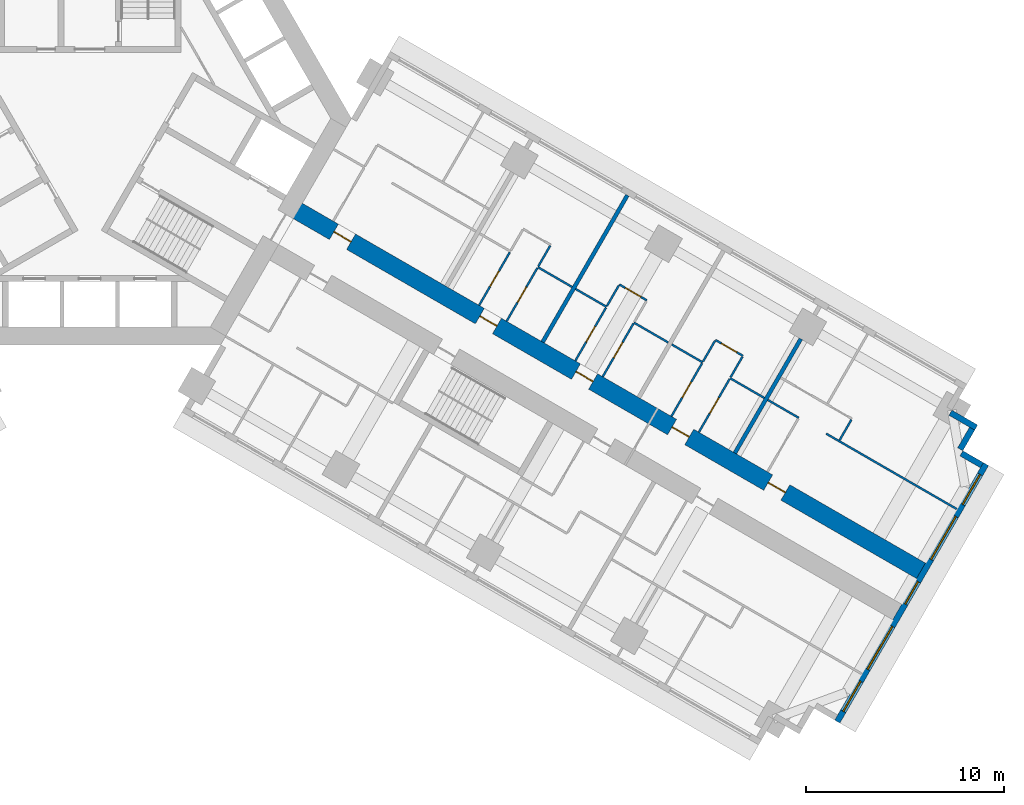
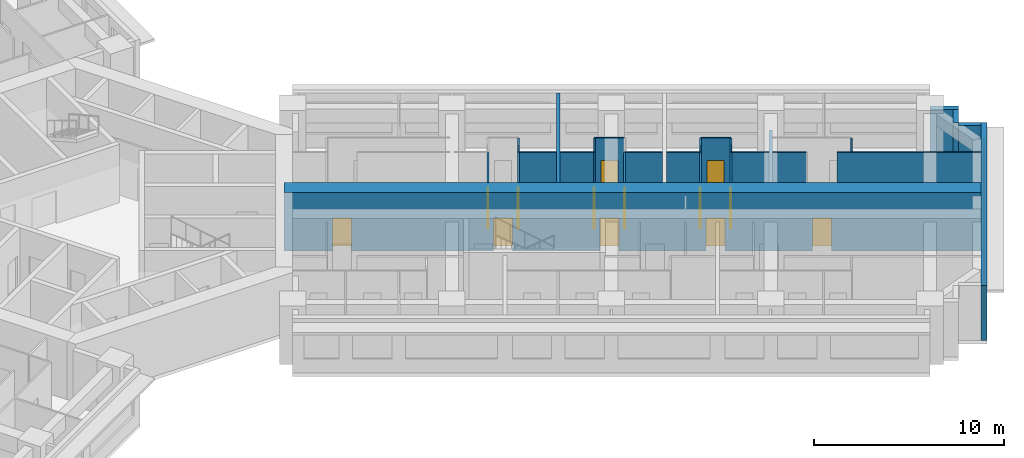
# One storey, part 12 of 16: 27 walls, 13 doors, 5 windows, 18 openings.
"""IFC4 building model written with IfcOpenShell, lengths in metres."""

import ifcopenshell
import ifcopenshell.guid

model = None  # the IFC model being written
_history = None  # IfcOwnerHistory: only IFC2X3 demands one
_inside = {}  # id of a spatial element -> (the spatial element, [elements in it])
_under = {}  # id of a project, library or spatial element -> (it, [spatial elements below it])
_declared = {}  # id of a project -> (the project, [libraries it declares])
_typed = {}  # id of a type object -> (the type object, [elements of that type])
_made_of = {}  # id of a material, layer set ... -> (it, [elements and type objects made of it])


def new_model(schema):
    """Start an empty IFC model of exactly this schema.

    Asked for "IFC4X3", IfcOpenShell would pick the latest addendum, in which some entities
    have other attributes; the version numbers below select the first issue.
    IFC2X3 requires an IfcOwnerHistory on every rooted entity: one is made here for all.
    """
    global model, _history
    if schema == "IFC4X3":
        model = ifcopenshell.file(schema_version=(4, 3, 0, 0))
    else:
        model = ifcopenshell.file(schema=schema)
    _inside.clear()
    _under.clear()
    _declared.clear()
    _typed.clear()
    _made_of.clear()
    _history = None
    if model.schema == "IFC2X3":
        org = make("IfcOrganization", Name="unknown")
        user = make(
            "IfcPersonAndOrganization",
            ThePerson=make("IfcPerson", FamilyName="unknown"),
            TheOrganization=org,
        )
        app = make(
            "IfcApplication",
            ApplicationDeveloper=org,
            Version="unknown",
            ApplicationFullName="unknown",
            ApplicationIdentifier="unknown",
        )
        _history = make(
            "IfcOwnerHistory",
            OwningUser=user,
            OwningApplication=app,
            ChangeAction="ADDED",
            CreationDate=0,
        )
    return model


def make(cls, **values):
    """One entity of the class cls with the attributes given. An attribute that is None is left unset."""
    return model.create_entity(
        cls, **{name: value for name, value in values.items() if value is not None}
    )


def rooted(cls, **values):
    """An entity with a GlobalId (a new one), such as an element, a storey or a relation."""
    return make(cls, GlobalId=ifcopenshell.guid.new(), OwnerHistory=_history, **values)


def si_unit(unit_type, name, prefix=None):
    """IfcSIUnit, for example si_unit("LENGTHUNIT", "METRE", prefix="MILLI")."""
    return make("IfcSIUnit", UnitType=unit_type, Prefix=prefix, Name=name)


def assignment(units):
    """IfcUnitAssignment: the units of a project."""
    return None if units is None else make("IfcUnitAssignment", Units=units)


def point(xyz):
    """IfcCartesianPoint."""
    return None if xyz is None else make("IfcCartesianPoint", Coordinates=xyz)


def direction(xyz):
    """IfcDirection."""
    return None if xyz is None else make("IfcDirection", DirectionRatios=xyz)


def frame(location, z_axis=None, x_axis=None):
    """IfcAxis2Placement3D, a coordinate frame: its origin and axes. An axis left out is left unset."""
    return make(
        "IfcAxis2Placement3D",
        Location=point(location),
        Axis=direction(z_axis),
        RefDirection=direction(x_axis),
    )


def frame_2d(location, x_axis=None):
    """IfcAxis2Placement2D, a coordinate frame in the plane: its origin and x axis."""
    return make(
        "IfcAxis2Placement2D", Location=point(location), RefDirection=direction(x_axis)
    )


def origin():
    """The frame at (0, 0, 0) with its axes left unset."""
    return frame((0.0, 0.0, 0.0))


def place(relative_to, where):
    """IfcLocalPlacement: puts the frame where relative to a parent placement (None: the world)."""
    return make(
        "IfcLocalPlacement", PlacementRelTo=relative_to, RelativePlacement=where
    )


def context(
    kind, dimensions, precision=None, world=None, true_north=None, identifier=None
):
    """IfcGeometricRepresentationContext, for example the 3D "Model" context."""
    return make(
        "IfcGeometricRepresentationContext",
        ContextIdentifier=identifier,
        ContextType=kind,
        CoordinateSpaceDimension=dimensions,
        Precision=precision,
        WorldCoordinateSystem=world,
        TrueNorth=true_north,
    )


def subcontext(parent, identifier, kind, view, scale=None):
    """IfcGeometricRepresentationSubContext, for example "Body" below "Model"."""
    return make(
        "IfcGeometricRepresentationSubContext",
        ContextIdentifier=identifier,
        ContextType=kind,
        ParentContext=parent,
        TargetScale=scale,
        TargetView=view,
    )


def project(units=None, contexts=None):
    """IfcProject with its units and contexts."""
    return rooted(
        "IfcProject",
        Name="project",
        RepresentationContexts=contexts,
        UnitsInContext=assignment(units),
    )


def spatial(cls, under=None, at=None, **own):
    """A site, building, storey or space (cls), placed at a placement, below another one or the project."""
    s = rooted(cls, ObjectPlacement=at, **own)
    if under is not None:
        _under.setdefault(under.id(), (under, []))[1].append(s)
    return s


def profile(cls, at=None, kind="AREA", **sizes):
    """A parametric profile (cls). Its sizes go by their IFC names, for example OverallWidth=200.0."""
    return make(cls, ProfileType=kind, Position=at, **sizes)


def rectangle(**sizes):
    """IfcRectangleProfileDef."""
    return profile("IfcRectangleProfileDef", **sizes)


def extrude(swept, where, along, depth):
    """IfcExtrudedAreaSolid: the profile swept, set in the frame where, extruded along a direction by depth."""
    return make(
        "IfcExtrudedAreaSolid",
        SweptArea=swept,
        Position=where,
        ExtrudedDirection=direction(along),
        Depth=depth,
    )


def shape(context_of_items, identifier, shape_type, items):
    """IfcShapeRepresentation: the items that make up one representation, for example the "Body"."""
    return make(
        "IfcShapeRepresentation",
        ContextOfItems=context_of_items,
        RepresentationIdentifier=identifier,
        RepresentationType=shape_type,
        Items=items,
    )


def material(Name=None, Category=None):
    """IfcMaterial."""
    return make("IfcMaterial", Name=Name, Category=Category)


def layer(
    of_material, thickness, ventilated=None, Name=None, Category=None, Priority=None
):
    """IfcMaterialLayer: one layer of a wall or slab, of a material (None: an air gap)."""
    return make(
        "IfcMaterialLayer",
        Material=of_material,
        LayerThickness=thickness,
        IsVentilated=ventilated,
        Name=Name,
        Category=Category,
        Priority=Priority,
    )


def layer_set(layers, Name=None):
    """IfcMaterialLayerSet."""
    return make("IfcMaterialLayerSet", MaterialLayers=layers, LayerSetName=Name)


def made_of(thing, what):
    """Note that an element or type object is made of a material, layer set ...; save() writes the relation."""
    if what is not None:
        _made_of.setdefault(what.id(), (what, []))[1].append(thing)
    return thing


def type_object(cls, material=None, **own):
    """A type object (cls), such as IfcWallType, which elements share."""
    return made_of(rooted(cls, **own), material)


def element(
    cls,
    number,
    at=None,
    inside=None,
    cuts=None,
    type_object=None,
    material=None,
    context=None,
    identifier="Body",
    shape_type=None,
    held_by="IfcProductDefinitionShape",
    body=None,
    shapes=None,
    **own,
):
    """One element of the class cls, such as IfcWall. Its Tag is "e" and its number.

    at: its placement. inside: the storey or other place that contains it. cuts: it is an
    opening in that element (IfcRelVoidsElement). A single representation is given by context,
    identifier, shape_type and body (its items); several are given by shapes. held_by: the class
    of the entity that holds the representations. save() writes the other relations.
    """
    e = rooted(cls, Tag="e%d" % number, ObjectPlacement=at, **own)
    if body is not None:
        shapes = [shape(context, identifier, shape_type, body)]
    if shapes is not None:
        e.Representation = make(held_by, Representations=shapes)
    if inside is not None:
        _inside.setdefault(inside.id(), (inside, []))[1].append(e)
    if cuts is not None:
        rooted(
            "IfcRelVoidsElement", RelatingBuildingElement=cuts, RelatedOpeningElement=e
        )
    if type_object is not None:
        _typed.setdefault(type_object.id(), (type_object, []))[1].append(e)
    return made_of(e, material)


def fill(opening, filler):
    """IfcRelFillsElement: the door or window that sits in an opening."""
    return rooted(
        "IfcRelFillsElement",
        RelatingOpeningElement=opening,
        RelatedBuildingElement=filler,
    )


def aggregate(whole, parts):
    """IfcRelAggregates: a whole, such as a stair, and the parts it consists of."""
    return rooted("IfcRelAggregates", RelatingObject=whole, RelatedObjects=parts)


def save(model, path):
    """Write the relations noted so far, then the file.

    IfcRelAggregates (storeys below a building ...), IfcRelContainedInSpatialStructure (elements
    in a storey), IfcRelDefinesByType, IfcRelAssociatesMaterial and IfcRelDeclares: one each for
    every whole, place, type object, material and project.
    """
    for whole, parts in _under.values():
        aggregate(whole, parts)
    for where, things in _inside.values():
        rooted(
            "IfcRelContainedInSpatialStructure",
            RelatedElements=things,
            RelatingStructure=where,
        )
    for kind, things in _typed.values():
        rooted("IfcRelDefinesByType", RelatedObjects=things, RelatingType=kind)
    for what, things in _made_of.values():
        rooted("IfcRelAssociatesMaterial", RelatedObjects=things, RelatingMaterial=what)
    for by, libraries in _declared.values():
        rooted("IfcRelDeclares", RelatingContext=by, RelatedDefinitions=libraries)
    model.write(path)


model = new_model("IFC4")

# Units and contexts
model_context = context("Model", 3, precision=1e-05, world=origin(), true_north=direction((0.0, 1.0)))
body_context = subcontext(model_context, "Body", "Model", "MODEL_VIEW")
ifc_project = project(units=[si_unit("LENGTHUNIT", "METRE"), si_unit("AREAUNIT", "SQUARE_METRE"), si_unit("VOLUMEUNIT", "CUBIC_METRE"), si_unit("PLANEANGLEUNIT", "RADIAN"), si_unit("MASSUNIT", "GRAM", prefix="KILO")], contexts=[model_context])

# Site, building, storey
site_placement = place(None, origin())
site = spatial("IfcSite", under=ifc_project, at=site_placement, CompositionType="ELEMENT")
building_placement = place(site_placement, origin())
building = spatial("IfcBuilding", under=site, at=building_placement, Name="Impinga Residences", CompositionType="ELEMENT")
storey_placement = place(building_placement, frame((0.0, 0.0, 59.75)))
storey = spatial("IfcBuildingStorey", under=building, at=storey_placement, Name="L14", CompositionType="ELEMENT", Elevation=59.75)

# Wall, openings, doors
ifc_material_1 = material(Name="Concrete C70/85", Category="concrete")
ifc_layer_1 = layer(ifc_material_1, 0.89990234375)
ifc_layer_set_1 = layer_set([ifc_layer_1], Name="Concrete C70/85")
wall_type_1 = type_object("IfcWallType", Name="BW1 corridor buttress wall, L05 to L22 900", PredefinedType="SHEAR", material=ifc_layer_set_1)
wall_1_placement = place(storey_placement, frame((10.1103515625, -4.451416015625, 0.0), z_axis=(0.0, 0.0, 1.0), x_axis=(0.866025284237, -0.500000207062, 0.0)))
wall_1 = element("IfcWall", 1, at=wall_1_placement, inside=storey, type_object=wall_type_1, Name="Corridor wall BW1 EC L14", PredefinedType="SHEAR", context=body_context, shape_type="SweptSolid", body=[
    extrude(rectangle(XDim=36.75, YDim=0.89990234375, at=frame_2d((18.375, 0.0))), origin(), (0.0, 0.0, 1.0), 3.75),
])
opening_1_placement = place(wall_1_placement, frame((2.550048828125, 0.0, 0.0)))
opening_1 = element("IfcOpeningElement", 2, at=opening_1_placement, cuts=wall_1, Name="Opening D1", PredefinedType="OPENING", context=body_context, shape_type="SweptSolid", body=[
    extrude(rectangle(XDim=1.0, YDim=2.10009765625, at=frame_2d((0.5, 1.050048828125))), frame((0.0, 0.4599609375, 0.0), z_axis=(0.0, -1.0, 0.0), x_axis=(1.0, 0.0, 0.0)), (0.0, 0.0, 1.0), 0.919921875),
])
opening_2_placement = place(wall_1_placement, frame((11.050048828125, 0.0, 0.0)))
opening_2 = element("IfcOpeningElement", 3, at=opening_2_placement, cuts=wall_1, Name="Opening D1", PredefinedType="OPENING", context=body_context, shape_type="SweptSolid", body=[
    extrude(rectangle(XDim=1.0, YDim=2.10009765625, at=frame_2d((0.5, 1.050048828125))), frame((0.0, 0.4599609375, 0.0), z_axis=(0.0, -1.0, 0.0), x_axis=(1.0, 0.0, 0.0)), (0.0, 0.0, 1.0), 0.919921875),
])
opening_3_placement = place(wall_1_placement, frame((16.64990234375, 0.0, 0.0)))
opening_3 = element("IfcOpeningElement", 4, at=opening_3_placement, cuts=wall_1, Name="Opening D1", PredefinedType="OPENING", context=body_context, shape_type="SweptSolid", body=[
    extrude(rectangle(XDim=1.0, YDim=2.10009765625, at=frame_2d((0.5, 1.050048828125))), frame((0.0, 0.4599609375, 0.0), z_axis=(0.0, -1.0, 0.0), x_axis=(1.0, 0.0, 0.0)), (0.0, 0.0, 1.0), 0.919921875),
])
opening_4_placement = place(wall_1_placement, frame((22.25, 0.0, 0.0)))
opening_4 = element("IfcOpeningElement", 5, at=opening_4_placement, cuts=wall_1, Name="Opening D1", PredefinedType="OPENING", context=body_context, shape_type="SweptSolid", body=[
    extrude(rectangle(XDim=1.0, YDim=2.10009765625, at=frame_2d((0.5, 1.050048828125))), frame((0.0, 0.4599609375, 0.0), z_axis=(0.0, -1.0, 0.0), x_axis=(1.0, 0.0, 0.0)), (0.0, 0.0, 1.0), 0.919921875),
])
opening_5_placement = place(wall_1_placement, frame((27.85009765625, 0.0, 0.0)))
opening_5 = element("IfcOpeningElement", 6, at=opening_5_placement, cuts=wall_1, Name="Opening D1", PredefinedType="OPENING", context=body_context, shape_type="SweptSolid", body=[
    extrude(rectangle(XDim=1.0, YDim=2.10009765625, at=frame_2d((0.5, 1.050048828125))), frame((0.0, 0.4599609375, 0.0), z_axis=(0.0, -1.0, 0.0), x_axis=(1.0, 0.0, 0.0)), (0.0, 0.0, 1.0), 0.919921875),
])
ifc_material_2 = material(Name="Timber door set", Category="wood")
door_type_1 = type_object("IfcDoorType", Name="D1 apartment entrance door 1000x2100", OperationType="SINGLE_SWING_LEFT", PredefinedType="DOOR", material=ifc_material_2)
door_1_placement = place(opening_1_placement, origin())
door_1 = element("IfcDoor", 7, at=door_1_placement, inside=storey, type_object=door_type_1, Name="Apartment L14-EA1 entrance", OperationType="SINGLE_SWING_LEFT", OverallHeight=2.10009765625, OverallWidth=1.0, PredefinedType="DOOR", context=body_context, shape_type="SweptSolid", body=[
    extrude(rectangle(XDim=1.0, YDim=2.10009765625, at=frame_2d((0.5, 1.050048828125))), frame((0.0, 0.02490234375, 0.0), z_axis=(0.0, -1.0, 0.0), x_axis=(1.0, 0.0, 0.0)), (0.0, 0.0, 1.0), 0.050048828125),
])
fill(opening_1, door_1)
door_2_placement = place(opening_2_placement, origin())
door_2 = element("IfcDoor", 8, at=door_2_placement, inside=storey, type_object=door_type_1, Name="Apartment L14-EA2 entrance", OperationType="SINGLE_SWING_LEFT", OverallHeight=2.10009765625, OverallWidth=1.0, PredefinedType="DOOR", context=body_context, shape_type="SweptSolid", body=[
    extrude(rectangle(XDim=1.0, YDim=2.10009765625, at=frame_2d((0.5, 1.050048828125))), frame((0.0, 0.02490234375, 0.0), z_axis=(0.0, -1.0, 0.0), x_axis=(1.0, 0.0, 0.0)), (0.0, 0.0, 1.0), 0.050048828125),
])
fill(opening_2, door_2)
door_3_placement = place(opening_3_placement, origin())
door_3 = element("IfcDoor", 9, at=door_3_placement, inside=storey, type_object=door_type_1, Name="Apartment L14-EA3 entrance", OperationType="SINGLE_SWING_LEFT", OverallHeight=2.10009765625, OverallWidth=1.0, PredefinedType="DOOR", context=body_context, shape_type="SweptSolid", body=[
    extrude(rectangle(XDim=1.0, YDim=2.10009765625, at=frame_2d((0.5, 1.050048828125))), frame((0.0, 0.02490234375, 0.0), z_axis=(0.0, -1.0, 0.0), x_axis=(1.0, 0.0, 0.0)), (0.0, 0.0, 1.0), 0.050048828125),
])
fill(opening_3, door_3)
door_4_placement = place(opening_4_placement, origin())
door_4 = element("IfcDoor", 10, at=door_4_placement, inside=storey, type_object=door_type_1, Name="Apartment L14-EA4 entrance", OperationType="SINGLE_SWING_RIGHT", OverallHeight=2.10009765625, OverallWidth=1.0, PredefinedType="DOOR", context=body_context, shape_type="SweptSolid", body=[
    extrude(rectangle(XDim=1.0, YDim=2.10009765625, at=frame_2d((0.5, 1.050048828125))), frame((0.0, 0.02490234375, 0.0), z_axis=(0.0, -1.0, 0.0), x_axis=(1.0, 0.0, 0.0)), (0.0, 0.0, 1.0), 0.050048828125),
])
fill(opening_4, door_4)
door_5_placement = place(opening_5_placement, origin())
door_5 = element("IfcDoor", 11, at=door_5_placement, inside=storey, type_object=door_type_1, Name="Apartment L14-EA5 entrance", OperationType="SINGLE_SWING_RIGHT", OverallHeight=2.10009765625, OverallWidth=1.0, PredefinedType="DOOR", context=body_context, shape_type="SweptSolid", body=[
    extrude(rectangle(XDim=1.0, YDim=2.10009765625, at=frame_2d((0.5, 1.050048828125))), frame((0.0, 0.02490234375, 0.0), z_axis=(0.0, -1.0, 0.0), x_axis=(1.0, 0.0, 0.0)), (0.0, 0.0, 1.0), 0.050048828125),
])
fill(opening_5, door_5)

# Walls
ifc_material_3 = material(Name="Terracotta rainscreen on blockwork", Category="masonry")
ifc_layer_2 = layer(ifc_material_3, 0.300048828125)
ifc_layer_set_2 = layer_set([ifc_layer_2], Name="EW1 external wall, terracotta rainscreen on blockwork 300")
wall_type_2 = type_object("IfcWallType", Name="EW1 external wall, terracotta rainscreen on blockwork 300", PredefinedType="SOLIDWALL", material=ifc_layer_set_2)
wall_2_placement = place(storey_placement, frame((43.42333984375, -14.8515625, 0.0), z_axis=(0.0, 0.0, 1.0), x_axis=(0.866031096941, -0.499990139034, 0.0)))
element("IfcWall", 12, at=wall_2_placement, inside=storey, type_object=wall_type_2, Name="External wall EW1 L14", PredefinedType="SOLIDWALL", context=body_context, shape_type="SweptSolid", body=[
    extrude(rectangle(XDim=1.5, YDim=0.300048828125, at=frame_2d((0.75, 0.0))), origin(), (0.0, 0.0, 1.0), 3.530029296875),
])
wall_3_placement = place(storey_placement, frame((44.517578125, -15.65625, 0.0), z_axis=(0.0, 0.0, 1.0), x_axis=(-0.500033551112, -0.866006032174, 0.0)))
element("IfcWall", 13, at=wall_3_placement, inside=storey, type_object=wall_type_2, Name="External wall EW1 L14", PredefinedType="SOLIDWALL", context=body_context, shape_type="SweptSolid", body=[
    extrude(rectangle(XDim=1.2001953125, YDim=0.300048828125, at=frame_2d((0.60009765625, 0.0))), origin(), (0.0, 0.0, 1.0), 3.530029296875),
])
wall_4_placement = place(storey_placement, frame((43.976806640625, -16.903076171875, 0.0), z_axis=(0.0, 0.0, 1.0), x_axis=(0.866059708757, -0.499940577336, 0.0)))
element("IfcWall", 14, at=wall_4_placement, inside=storey, type_object=wall_type_2, Name="External wall EW1 L14", PredefinedType="SOLIDWALL", context=body_context, shape_type="SweptSolid", body=[
    extrude(rectangle(XDim=1.195068359375, YDim=0.300048828125, at=frame_2d((0.59765625, 0.0))), origin(), (0.0, 0.0, 1.0), 3.530029296875),
])

# Wall, openings, windows
wall_5_placement = place(storey_placement, frame((45.216552734375, -17.445556640625, 0.0), z_axis=(0.0, 0.0, 1.0), x_axis=(-0.499997186618, -0.866027028085, 0.0)))
wall_5 = element("IfcWall", 15, at=wall_5_placement, inside=storey, type_object=wall_type_2, Name="External wall EW1 L14", PredefinedType="SOLIDWALL", context=body_context, shape_type="SweptSolid", body=[
    extrude(rectangle(XDim=15.0, YDim=0.300048828125, at=frame_2d((7.5, 0.0))), origin(), (0.0, 0.0, 1.0), 3.530029296875),
])
opening_6_placement = place(wall_5_placement, frame((0.60009765625, 0.0, 0.89990234375)))
opening_6 = element("IfcOpeningElement", 16, at=opening_6_placement, cuts=wall_5, Name="Opening W1", PredefinedType="OPENING", context=body_context, shape_type="SweptSolid", body=[
    extrude(rectangle(XDim=1.75, YDim=2.050048828125, at=frame_2d((0.875, 1.02490234375))), frame((0.0, 0.159912109375, 0.0), z_axis=(0.0, -1.0, 0.0), x_axis=(1.0, 0.0, 0.0)), (0.0, 0.0, 1.0), 0.320068359375),
])
opening_7_placement = place(wall_5_placement, frame((3.050048828125, 0.0, 0.89990234375)))
opening_7 = element("IfcOpeningElement", 17, at=opening_7_placement, cuts=wall_5, Name="Opening W2", PredefinedType="OPENING", context=body_context, shape_type="SweptSolid", body=[
    extrude(rectangle(XDim=2.5, YDim=2.050048828125, at=frame_2d((1.25, 1.02490234375))), frame((0.0, 0.159912109375, 0.0), z_axis=(0.0, -1.0, 0.0), x_axis=(1.0, 0.0, 0.0)), (0.0, 0.0, 1.0), 0.320068359375),
])
opening_8_placement = place(wall_5_placement, frame((6.85009765625, 0.0, 0.89990234375)))
opening_8 = element("IfcOpeningElement", 18, at=opening_8_placement, cuts=wall_5, Name="Opening WE1", PredefinedType="OPENING", context=body_context, shape_type="SweptSolid", body=[
    extrude(rectangle(XDim=1.300048828125, YDim=2.050048828125, at=frame_2d((0.64990234375, 1.02490234375))), frame((0.0, 0.159912109375, 0.0), z_axis=(0.0, -1.0, 0.0), x_axis=(1.0, 0.0, 0.0)), (0.0, 0.0, 1.0), 0.320068359375),
])
opening_9_placement = place(wall_5_placement, frame((9.449951171875, 0.0, 0.89990234375)))
opening_9 = element("IfcOpeningElement", 19, at=opening_9_placement, cuts=wall_5, Name="Opening W2", PredefinedType="OPENING", context=body_context, shape_type="SweptSolid", body=[
    extrude(rectangle(XDim=2.5, YDim=2.050048828125, at=frame_2d((1.25, 1.02490234375))), frame((0.0, 0.159912109375, 0.0), z_axis=(0.0, -1.0, 0.0), x_axis=(1.0, 0.0, 0.0)), (0.0, 0.0, 1.0), 0.320068359375),
])
opening_10_placement = place(wall_5_placement, frame((12.64990234375, 0.0, 0.89990234375)))
opening_10 = element("IfcOpeningElement", 20, at=opening_10_placement, cuts=wall_5, Name="Opening W1", PredefinedType="OPENING", context=body_context, shape_type="SweptSolid", body=[
    extrude(rectangle(XDim=1.75, YDim=2.050048828125, at=frame_2d((0.875, 1.02490234375))), frame((0.0, 0.159912109375, 0.0), z_axis=(0.0, -1.0, 0.0), x_axis=(1.0, 0.0, 0.0)), (0.0, 0.0, 1.0), 0.320068359375),
])
ifc_material_4 = material(Name="Aluminium window, clear double glazing", Category="aluminium")
window_type_1 = type_object("IfcWindowType", Name="W1 ribbon window 1750x2050", PartitioningType="SINGLE_PANEL", PredefinedType="WINDOW", material=ifc_material_4)
window_1_placement = place(opening_6_placement, origin())
window_1 = element("IfcWindow", 21, at=window_1_placement, inside=storey, type_object=window_type_1, Name="Window L14", OverallHeight=2.050048828125, OverallWidth=1.75, PartitioningType="SINGLE_PANEL", PredefinedType="WINDOW", context=body_context, shape_type="SweptSolid", body=[
    extrude(rectangle(XDim=1.75, YDim=2.050048828125, at=frame_2d((0.875, 1.02490234375))), frame((0.0, 0.030029296875, 0.0), z_axis=(0.0, -1.0, 0.0), x_axis=(1.0, 0.0, 0.0)), (0.0, 0.0, 1.0), 0.06005859375),
])
fill(opening_6, window_1)
window_2_placement = place(opening_10_placement, origin())
window_2 = element("IfcWindow", 22, at=window_2_placement, inside=storey, type_object=window_type_1, Name="Window L14", OverallHeight=2.050048828125, OverallWidth=1.75, PartitioningType="SINGLE_PANEL", PredefinedType="WINDOW", context=body_context, shape_type="SweptSolid", body=[
    extrude(rectangle(XDim=1.75, YDim=2.050048828125, at=frame_2d((0.875, 1.02490234375))), frame((0.0, 0.030029296875, 0.0), z_axis=(0.0, -1.0, 0.0), x_axis=(1.0, 0.0, 0.0)), (0.0, 0.0, 1.0), 0.06005859375),
])
fill(opening_10, window_2)
window_type_2 = type_object("IfcWindowType", Name="W2 ribbon window 2500x2050", PartitioningType="SINGLE_PANEL", PredefinedType="WINDOW", material=ifc_material_4)
window_3_placement = place(opening_7_placement, origin())
window_3 = element("IfcWindow", 23, at=window_3_placement, inside=storey, type_object=window_type_2, Name="Window L14", OverallHeight=2.050048828125, OverallWidth=2.5, PartitioningType="SINGLE_PANEL", PredefinedType="WINDOW", context=body_context, shape_type="SweptSolid", body=[
    extrude(rectangle(XDim=2.5, YDim=2.050048828125, at=frame_2d((1.25, 1.02490234375))), frame((0.0, 0.030029296875, 0.0), z_axis=(0.0, -1.0, 0.0), x_axis=(1.0, 0.0, 0.0)), (0.0, 0.0, 1.0), 0.06005859375),
])
fill(opening_7, window_3)
window_4_placement = place(opening_9_placement, origin())
window_4 = element("IfcWindow", 24, at=window_4_placement, inside=storey, type_object=window_type_2, Name="Window L14", OverallHeight=2.050048828125, OverallWidth=2.5, PartitioningType="SINGLE_PANEL", PredefinedType="WINDOW", context=body_context, shape_type="SweptSolid", body=[
    extrude(rectangle(XDim=2.5, YDim=2.050048828125, at=frame_2d((1.25, 1.02490234375))), frame((0.0, 0.030029296875, 0.0), z_axis=(0.0, -1.0, 0.0), x_axis=(1.0, 0.0, 0.0)), (0.0, 0.0, 1.0), 0.06005859375),
])
fill(opening_9, window_4)
window_type_3 = type_object("IfcWindowType", Name="WE1 corridor window 1300x2050", PartitioningType="SINGLE_PANEL", PredefinedType="WINDOW", material=ifc_material_4)
window_5_placement = place(opening_8_placement, origin())
window_5 = element("IfcWindow", 25, at=window_5_placement, inside=storey, type_object=window_type_3, Name="Window L14", OverallHeight=2.050048828125, OverallWidth=1.300048828125, PartitioningType="SINGLE_PANEL", PredefinedType="WINDOW", context=body_context, shape_type="SweptSolid", body=[
    extrude(rectangle(XDim=1.300048828125, YDim=2.050048828125, at=frame_2d((0.64990234375, 1.02490234375))), frame((0.0, 0.030029296875, 0.0), z_axis=(0.0, -1.0, 0.0), x_axis=(1.0, 0.0, 0.0)), (0.0, 0.0, 1.0), 0.06005859375),
])
fill(opening_8, window_5)

# Walls
ifc_material_5 = material(Name="Gypsum board on steel studs", Category="steel")
ifc_layer_3 = layer(ifc_material_5, 0.10009765625)
ifc_layer_set_3 = layer_set([ifc_layer_3], Name="Gypsum board on steel studs")
wall_type_3 = type_object("IfcWallType", Name="IP1 partition 100", PredefinedType="PARTITIONING", material=ifc_layer_set_3)
wall_6_placement = place(storey_placement, frame((22.605712890625, -7.5087890625, 0.0), z_axis=(0.0, 0.0, 1.0), x_axis=(0.866010750942, -0.50002537861, 0.0)))
element("IfcWall", 26, at=wall_6_placement, inside=storey, type_object=wall_type_3, Name="Partition L14-EA2:DIV1", PredefinedType="PARTITIONING", context=body_context, shape_type="SweptSolid", body=[
    extrude(rectangle(XDim=2.0, YDim=0.10009765625, at=frame_2d((1.0, 0.0))), origin(), (0.0, 0.0, 1.0), 3.530029296875),
])
wall_7_placement = place(storey_placement, frame((22.630615234375, -7.465576171875, 0.0), z_axis=(0.0, 0.0, 1.0), x_axis=(0.500033551112, 0.866006032174, 0.0)))
element("IfcWall", 27, at=wall_7_placement, inside=storey, type_object=wall_type_3, Name="Partition L14-EA2:SE1", PredefinedType="PARTITIONING", context=body_context, shape_type="SweptSolid", body=[
    extrude(rectangle(XDim=1.2001953125, YDim=0.10009765625, at=frame_2d((0.60009765625, 0.0))), origin(), (0.0, 0.0, 1.0), 3.530029296875),
])

# Wall, opening, door
wall_8_placement = place(storey_placement, frame((19.64501953125, -9.436767578125, 0.0), z_axis=(0.0, 0.0, 1.0), x_axis=(0.500026960575, 0.86600983753, 0.0)))
wall_8 = element("IfcWall", 28, at=wall_8_placement, inside=storey, type_object=wall_type_3, Name="Partition L14-EA2:IB1", PredefinedType="PARTITIONING", context=body_context, shape_type="SweptSolid", body=[
    extrude(rectangle(XDim=3.099853515625, YDim=0.10009765625, at=frame_2d((1.5498046875, 0.0))), origin(), (0.0, 0.0, 1.0), 3.530029296875),
])
opening_11_placement = place(wall_8_placement, frame((1.10009765625, 0.0, 0.0)))
opening_11 = element("IfcOpeningElement", 29, at=opening_11_placement, cuts=wall_8, Name="Opening D2", PredefinedType="OPENING", context=body_context, shape_type="SweptSolid", body=[
    extrude(rectangle(XDim=0.89990234375, YDim=2.10009765625, at=frame_2d((0.449951171875, 1.050048828125))), frame((0.0, 0.06005859375, 0.0), z_axis=(0.0, -1.0, 0.0), x_axis=(1.0, 0.0, 0.0)), (0.0, 0.0, 1.0), 0.1201171875),
])
door_type_2 = type_object("IfcDoorType", Name="D2 internal door 900x2100", OperationType="SINGLE_SWING_LEFT", PredefinedType="DOOR", material=ifc_material_2)
door_6_placement = place(opening_11_placement, origin())
door_6 = element("IfcDoor", 30, at=door_6_placement, inside=storey, type_object=door_type_2, Name="Apartment L14-EA2 bathroom door", OperationType="SINGLE_SWING_LEFT", OverallHeight=2.10009765625, OverallWidth=0.89990234375, PredefinedType="DOOR", context=body_context, shape_type="SweptSolid", body=[
    extrude(rectangle(XDim=0.89990234375, YDim=2.10009765625, at=frame_2d((0.449951171875, 1.050048828125))), frame((0.0, 0.02490234375, 0.0), z_axis=(0.0, -1.0, 0.0), x_axis=(1.0, 0.0, 0.0)), (0.0, 0.0, 1.0), 0.050048828125),
])
fill(opening_11, door_6)

wall_9_placement = place(storey_placement, frame((21.03076171875, -10.23681640625, 0.0), z_axis=(0.0, 0.0, 1.0), x_axis=(0.500026960575, 0.86600983753, 0.0)))
wall_9 = element("IfcWall", 31, at=wall_9_placement, inside=storey, type_object=wall_type_3, Name="Partition L14-EA2:IB2", PredefinedType="PARTITIONING", context=body_context, shape_type="SweptSolid", body=[
    extrude(rectangle(XDim=3.099853515625, YDim=0.10009765625, at=frame_2d((1.5498046875, 0.0))), origin(), (0.0, 0.0, 1.0), 3.530029296875),
])
opening_12_placement = place(wall_9_placement, frame((1.10009765625, 0.0, 0.0)))
opening_12 = element("IfcOpeningElement", 32, at=opening_12_placement, cuts=wall_9, Name="Opening D2", PredefinedType="OPENING", context=body_context, shape_type="SweptSolid", body=[
    extrude(rectangle(XDim=0.89990234375, YDim=2.10009765625, at=frame_2d((0.449951171875, 1.050048828125))), frame((0.0, 0.06005859375, 0.0), z_axis=(0.0, -1.0, 0.0), x_axis=(1.0, 0.0, 0.0)), (0.0, 0.0, 1.0), 0.1201171875),
])
door_7_placement = place(opening_12_placement, origin())
door_7 = element("IfcDoor", 33, at=door_7_placement, inside=storey, type_object=door_type_2, Name="Apartment L14-EA2 WC door", OperationType="SINGLE_SWING_LEFT", OverallHeight=2.10009765625, OverallWidth=0.89990234375, PredefinedType="DOOR", context=body_context, shape_type="SweptSolid", body=[
    extrude(rectangle(XDim=0.89990234375, YDim=2.10009765625, at=frame_2d((0.449951171875, 1.050048828125))), frame((0.0, 0.02490234375, 0.0), z_axis=(0.0, -1.0, 0.0), x_axis=(1.0, 0.0, 0.0)), (0.0, 0.0, 1.0), 0.050048828125),
])
fill(opening_12, door_7)

# Walls
wall_10_placement = place(storey_placement, frame((24.510986328125, -8.60888671875, 0.0), z_axis=(0.0, 0.0, 1.0), x_axis=(0.866047807691, -0.499961193289, 0.0)))
element("IfcWall", 34, at=wall_10_placement, inside=storey, type_object=wall_type_3, Name="Partition L14-EA3:DIV0", PredefinedType="PARTITIONING", context=body_context, shape_type="SweptSolid", body=[
    extrude(rectangle(XDim=1.800048828125, YDim=0.10009765625, at=frame_2d((0.89990234375, 0.0))), origin(), (0.0, 0.0, 1.0), 3.530029296875),
])
wall_11_placement = place(storey_placement, frame((27.45556640625, -10.308837890625, 0.0), z_axis=(0.0, 0.0, 1.0), x_axis=(0.866010750942, -0.50002537861, 0.0)))
element("IfcWall", 35, at=wall_11_placement, inside=storey, type_object=wall_type_3, Name="Partition L14-EA3:DIV1", PredefinedType="PARTITIONING", context=body_context, shape_type="SweptSolid", body=[
    extrude(rectangle(XDim=2.0, YDim=0.10009765625, at=frame_2d((1.0, 0.0))), origin(), (0.0, 0.0, 1.0), 3.530029296875),
])

# Wall, opening, door
wall_12_placement = place(storey_placement, frame((26.7197265625, -8.383056640625, 0.0), z_axis=(0.0, 0.0, 1.0), x_axis=(0.866028054938, -0.499995408039, 0.0)))
wall_12 = element("IfcWall", 36, at=wall_12_placement, inside=storey, type_object=wall_type_3, Name="Partition L14-EA3:STRIP", PredefinedType="PARTITIONING", context=body_context, shape_type="SweptSolid", body=[
    extrude(rectangle(XDim=1.60009765625, YDim=0.10009765625, at=frame_2d((0.800048828125, 0.0))), origin(), (0.0, 0.0, 1.0), 3.530029296875),
])
opening_13_placement = place(wall_12_placement, frame((0.35009765625, 0.0, 0.0)))
opening_13 = element("IfcOpeningElement", 37, at=opening_13_placement, cuts=wall_12, Name="Opening D2", PredefinedType="OPENING", context=body_context, shape_type="SweptSolid", body=[
    extrude(rectangle(XDim=0.89990234375, YDim=2.10009765625, at=frame_2d((0.449951171875, 1.050048828125))), frame((0.0, 0.06005859375, 0.0), z_axis=(0.0, -1.0, 0.0), x_axis=(1.0, 0.0, 0.0)), (0.0, 0.0, 1.0), 0.1201171875),
])
door_8_placement = place(opening_13_placement, origin())
door_8 = element("IfcDoor", 38, at=door_8_placement, inside=storey, type_object=door_type_2, Name="Apartment L14-EA3 room door", OperationType="SINGLE_SWING_LEFT", OverallHeight=2.10009765625, OverallWidth=0.89990234375, PredefinedType="DOOR", context=body_context, shape_type="SweptSolid", body=[
    extrude(rectangle(XDim=0.89990234375, YDim=2.10009765625, at=frame_2d((0.449951171875, 1.050048828125))), frame((0.0, 0.02490234375, 0.0), z_axis=(0.0, -1.0, 0.0), x_axis=(1.0, 0.0, 0.0)), (0.0, 0.0, 1.0), 0.050048828125),
])
fill(opening_13, door_8)

# Wall
wall_13_placement = place(storey_placement, frame((26.0947265625, -9.465576171875, 0.0), z_axis=(0.0, 0.0, 1.0), x_axis=(0.500033551112, 0.866006032174, 0.0)))
element("IfcWall", 39, at=wall_13_placement, inside=storey, type_object=wall_type_3, Name="Partition L14-EA3:SE0", PredefinedType="PARTITIONING", context=body_context, shape_type="SweptSolid", body=[
    extrude(rectangle(XDim=1.2001953125, YDim=0.10009765625, at=frame_2d((0.60009765625, 0.0))), origin(), (0.0, 0.0, 1.0), 3.530029296875),
])

# Wall, opening, door
wall_14_placement = place(storey_placement, frame((24.494873046875, -12.23681640625, 0.0), z_axis=(0.0, 0.0, 1.0), x_axis=(0.500026960575, 0.86600983753, 0.0)))
wall_14 = element("IfcWall", 40, at=wall_14_placement, inside=storey, type_object=wall_type_3, Name="Partition L14-EA3:IB1", PredefinedType="PARTITIONING", context=body_context, shape_type="SweptSolid", body=[
    extrude(rectangle(XDim=3.099853515625, YDim=0.10009765625, at=frame_2d((1.5498046875, 0.0))), origin(), (0.0, 0.0, 1.0), 3.530029296875),
])
opening_14_placement = place(wall_14_placement, frame((1.10009765625, 0.0, 0.0)))
opening_14 = element("IfcOpeningElement", 41, at=opening_14_placement, cuts=wall_14, Name="Opening D2", PredefinedType="OPENING", context=body_context, shape_type="SweptSolid", body=[
    extrude(rectangle(XDim=0.89990234375, YDim=2.10009765625, at=frame_2d((0.449951171875, 1.050048828125))), frame((0.0, 0.06005859375, 0.0), z_axis=(0.0, -1.0, 0.0), x_axis=(1.0, 0.0, 0.0)), (0.0, 0.0, 1.0), 0.1201171875),
])
door_9_placement = place(opening_14_placement, origin())
door_9 = element("IfcDoor", 42, at=door_9_placement, inside=storey, type_object=door_type_2, Name="Apartment L14-EA3 bathroom door", OperationType="SINGLE_SWING_LEFT", OverallHeight=2.10009765625, OverallWidth=0.89990234375, PredefinedType="DOOR", context=body_context, shape_type="SweptSolid", body=[
    extrude(rectangle(XDim=0.89990234375, YDim=2.10009765625, at=frame_2d((0.449951171875, 1.050048828125))), frame((0.0, 0.02490234375, 0.0), z_axis=(0.0, -1.0, 0.0), x_axis=(1.0, 0.0, 0.0)), (0.0, 0.0, 1.0), 0.050048828125),
])
fill(opening_14, door_9)

wall_15_placement = place(storey_placement, frame((25.88037109375, -13.036865234375, 0.0), z_axis=(0.0, 0.0, 1.0), x_axis=(0.49999285859, 0.86602952684, 0.0)))
wall_15 = element("IfcWall", 43, at=wall_15_placement, inside=storey, type_object=wall_type_3, Name="Partition L14-EA3:IB2", PredefinedType="PARTITIONING", context=body_context, shape_type="SweptSolid", body=[
    extrude(rectangle(XDim=3.10009765625, YDim=0.10009765625, at=frame_2d((1.550048828125, 0.0))), origin(), (0.0, 0.0, 1.0), 3.530029296875),
])
opening_15_placement = place(wall_15_placement, frame((1.10009765625, 0.0, 0.0)))
opening_15 = element("IfcOpeningElement", 44, at=opening_15_placement, cuts=wall_15, Name="Opening D2", PredefinedType="OPENING", context=body_context, shape_type="SweptSolid", body=[
    extrude(rectangle(XDim=0.89990234375, YDim=2.10009765625, at=frame_2d((0.449951171875, 1.050048828125))), frame((0.0, 0.06005859375, 0.0), z_axis=(0.0, -1.0, 0.0), x_axis=(1.0, 0.0, 0.0)), (0.0, 0.0, 1.0), 0.1201171875),
])
door_10_placement = place(opening_15_placement, origin())
door_10 = element("IfcDoor", 45, at=door_10_placement, inside=storey, type_object=door_type_2, Name="Apartment L14-EA3 WC door", OperationType="SINGLE_SWING_LEFT", OverallHeight=2.10009765625, OverallWidth=0.89990234375, PredefinedType="DOOR", context=body_context, shape_type="SweptSolid", body=[
    extrude(rectangle(XDim=0.89990234375, YDim=2.10009765625, at=frame_2d((0.449951171875, 1.050048828125))), frame((0.0, 0.02490234375, 0.0), z_axis=(0.0, -1.0, 0.0), x_axis=(1.0, 0.0, 0.0)), (0.0, 0.0, 1.0), 0.050048828125),
])
fill(opening_15, door_10)

# Walls
wall_16_placement = place(storey_placement, frame((29.360595703125, -11.408935546875, 0.0), z_axis=(0.0, 0.0, 1.0), x_axis=(0.866047807691, -0.499961193289, 0.0)))
element("IfcWall", 46, at=wall_16_placement, inside=storey, type_object=wall_type_3, Name="Partition L14-EA4:DIV0", PredefinedType="PARTITIONING", context=body_context, shape_type="SweptSolid", body=[
    extrude(rectangle(XDim=1.800048828125, YDim=0.10009765625, at=frame_2d((0.89990234375, 0.0))), origin(), (0.0, 0.0, 1.0), 3.530029296875),
])
wall_17_placement = place(storey_placement, frame((32.30517578125, -13.10888671875, 0.0), z_axis=(0.0, 0.0, 1.0), x_axis=(0.866041268327, -0.499972520799, 0.0)))
element("IfcWall", 47, at=wall_17_placement, inside=storey, type_object=wall_type_3, Name="Partition L14-EA4:DIV1", PredefinedType="PARTITIONING", context=body_context, shape_type="SweptSolid", body=[
    extrude(rectangle(XDim=2.0, YDim=0.10009765625, at=frame_2d((1.0, 0.0))), origin(), (0.0, 0.0, 1.0), 3.530029296875),
])

# Wall, opening, door
wall_18_placement = place(storey_placement, frame((31.569580078125, -11.18310546875, 0.0), z_axis=(0.0, 0.0, 1.0), x_axis=(0.866055983265, -0.499947031044, 0.0)))
wall_18 = element("IfcWall", 48, at=wall_18_placement, inside=storey, type_object=wall_type_3, Name="Partition L14-EA4:STRIP", PredefinedType="PARTITIONING", context=body_context, shape_type="SweptSolid", body=[
    extrude(rectangle(XDim=1.599853515625, YDim=0.10009765625, at=frame_2d((0.7998046875, 0.0))), origin(), (0.0, 0.0, 1.0), 3.530029296875),
])
opening_16_placement = place(wall_18_placement, frame((0.35009765625, 0.0, 0.0)))
opening_16 = element("IfcOpeningElement", 49, at=opening_16_placement, cuts=wall_18, Name="Opening D2", PredefinedType="OPENING", context=body_context, shape_type="SweptSolid", body=[
    extrude(rectangle(XDim=0.89990234375, YDim=2.10009765625, at=frame_2d((0.449951171875, 1.050048828125))), frame((0.0, 0.06005859375, 0.0), z_axis=(0.0, -1.0, 0.0), x_axis=(1.0, 0.0, 0.0)), (0.0, 0.0, 1.0), 0.1201171875),
])
door_11_placement = place(opening_16_placement, origin())
door_11 = element("IfcDoor", 50, at=door_11_placement, inside=storey, type_object=door_type_2, Name="Apartment L14-EA4 room door", OperationType="SINGLE_SWING_LEFT", OverallHeight=2.10009765625, OverallWidth=0.89990234375, PredefinedType="DOOR", context=body_context, shape_type="SweptSolid", body=[
    extrude(rectangle(XDim=0.89990234375, YDim=2.10009765625, at=frame_2d((0.449951171875, 1.050048828125))), frame((0.0, 0.02490234375, 0.0), z_axis=(0.0, -1.0, 0.0), x_axis=(1.0, 0.0, 0.0)), (0.0, 0.0, 1.0), 0.050048828125),
])
fill(opening_16, door_11)

# Walls
for number, where, z_axis, x_axis, name in (
    (51, (30.944580078125, -12.265625, 0.0), (0.0, 0.0, 1.0), (0.499880961361, 0.866094119867, 0.0), "Partition L14-EA4:SE0"),
    (52, (32.330078125, -13.0654296875, 0.0), (0.0, 0.0, 1.0), (0.50012165622, 0.865955154139, 0.0), "Partition L14-EA4:SE1"),
):
    element("IfcWall", number, at=place(storey_placement, frame(where, z_axis=z_axis, x_axis=x_axis)), inside=storey, type_object=wall_type_3, Name=name, PredefinedType="PARTITIONING", context=body_context, shape_type="SweptSolid", body=[
        extrude(rectangle(XDim=1.199951171875, YDim=0.10009765625, at=frame_2d((0.60009765625, 0.0))), origin(), (0.0, 0.0, 1.0), 3.530029296875),
    ])

# Wall, opening, door
wall_19_placement = place(storey_placement, frame((29.344482421875, -15.036865234375, 0.0), z_axis=(0.0, 0.0, 1.0), x_axis=(0.49999285859, 0.86602952684, 0.0)))
wall_19 = element("IfcWall", 53, at=wall_19_placement, inside=storey, type_object=wall_type_3, Name="Partition L14-EA4:IB1", PredefinedType="PARTITIONING", context=body_context, shape_type="SweptSolid", body=[
    extrude(rectangle(XDim=3.10009765625, YDim=0.10009765625, at=frame_2d((1.550048828125, 0.0))), origin(), (0.0, 0.0, 1.0), 3.530029296875),
])
opening_17_placement = place(wall_19_placement, frame((1.10009765625, 0.0, 0.0)))
opening_17 = element("IfcOpeningElement", 54, at=opening_17_placement, cuts=wall_19, Name="Opening D2", PredefinedType="OPENING", context=body_context, shape_type="SweptSolid", body=[
    extrude(rectangle(XDim=0.89990234375, YDim=2.10009765625, at=frame_2d((0.449951171875, 1.050048828125))), frame((0.0, 0.06005859375, 0.0), z_axis=(0.0, -1.0, 0.0), x_axis=(1.0, 0.0, 0.0)), (0.0, 0.0, 1.0), 0.1201171875),
])
door_12_placement = place(opening_17_placement, origin())
door_12 = element("IfcDoor", 55, at=door_12_placement, inside=storey, type_object=door_type_2, Name="Apartment L14-EA4 bathroom door", OperationType="SINGLE_SWING_LEFT", OverallHeight=2.10009765625, OverallWidth=0.89990234375, PredefinedType="DOOR", context=body_context, shape_type="SweptSolid", body=[
    extrude(rectangle(XDim=0.89990234375, YDim=2.10009765625, at=frame_2d((0.449951171875, 1.050048828125))), frame((0.0, 0.02490234375, 0.0), z_axis=(0.0, -1.0, 0.0), x_axis=(1.0, 0.0, 0.0)), (0.0, 0.0, 1.0), 0.050048828125),
])
fill(opening_17, door_12)

wall_20_placement = place(storey_placement, frame((30.730224609375, -15.8369140625, 0.0), z_axis=(0.0, 0.0, 1.0), x_axis=(0.49999285859, 0.86602952684, 0.0)))
wall_20 = element("IfcWall", 56, at=wall_20_placement, inside=storey, type_object=wall_type_3, Name="Partition L14-EA4:IB2", PredefinedType="PARTITIONING", context=body_context, shape_type="SweptSolid", body=[
    extrude(rectangle(XDim=3.10009765625, YDim=0.10009765625, at=frame_2d((1.550048828125, 0.0))), origin(), (0.0, 0.0, 1.0), 3.530029296875),
])
opening_18_placement = place(wall_20_placement, frame((1.10009765625, 0.0, 0.0)))
opening_18 = element("IfcOpeningElement", 57, at=opening_18_placement, cuts=wall_20, Name="Opening D2", PredefinedType="OPENING", context=body_context, shape_type="SweptSolid", body=[
    extrude(rectangle(XDim=0.89990234375, YDim=2.10009765625, at=frame_2d((0.449951171875, 1.050048828125))), frame((0.0, 0.06005859375, 0.0), z_axis=(0.0, -1.0, 0.0), x_axis=(1.0, 0.0, 0.0)), (0.0, 0.0, 1.0), 0.1201171875),
])
door_13_placement = place(opening_18_placement, origin())
door_13 = element("IfcDoor", 58, at=door_13_placement, inside=storey, type_object=door_type_2, Name="Apartment L14-EA4 WC door", OperationType="SINGLE_SWING_LEFT", OverallHeight=2.10009765625, OverallWidth=0.89990234375, PredefinedType="DOOR", context=body_context, shape_type="SweptSolid", body=[
    extrude(rectangle(XDim=0.89990234375, YDim=2.10009765625, at=frame_2d((0.449951171875, 1.050048828125))), frame((0.0, 0.02490234375, 0.0), z_axis=(0.0, -1.0, 0.0), x_axis=(1.0, 0.0, 0.0)), (0.0, 0.0, 1.0), 0.050048828125),
])
fill(opening_18, door_13)

# Walls
wall_21_placement = place(storey_placement, frame((34.21044921875, -14.208740234375, 0.0), z_axis=(0.0, 0.0, 1.0), x_axis=(0.865989075817, -0.500062916607, 0.0)))
element("IfcWall", 59, at=wall_21_placement, inside=storey, type_object=wall_type_3, Name="Partition L14-EA5:DIV0", PredefinedType="PARTITIONING", context=body_context, shape_type="SweptSolid", body=[
    extrude(rectangle(XDim=1.800048828125, YDim=0.10009765625, at=frame_2d((0.89990234375, 0.0))), origin(), (0.0, 0.0, 1.0), 3.530029296875),
])
wall_22_placement = place(storey_placement, frame((37.155029296875, -15.908935546875, 0.0), z_axis=(0.0, 0.0, 1.0), x_axis=(0.866036335692, -0.499981064903, 0.0)))
element("IfcWall", 60, at=wall_22_placement, inside=storey, type_object=wall_type_3, Name="Partition L14-EA5:DIV1", PredefinedType="PARTITIONING", context=body_context, shape_type="SweptSolid", body=[
    extrude(rectangle(XDim=7.599853515625, YDim=0.10009765625, at=frame_2d((3.7998046875, 0.0))), origin(), (0.0, 0.0, 1.0), 3.530029296875),
])
wall_23_placement = place(storey_placement, frame((37.829345703125, -16.240478515625, 0.0), z_axis=(0.0, 0.0, 1.0), x_axis=(0.50012165622, 0.865955154139, 0.0)))
element("IfcWall", 61, at=wall_23_placement, inside=storey, type_object=wall_type_3, Name="Partition L14-EA5:SE1", PredefinedType="PARTITIONING", context=body_context, shape_type="SweptSolid", body=[
    extrude(rectangle(XDim=1.199951171875, YDim=0.10009765625, at=frame_2d((0.60009765625, 0.0))), origin(), (0.0, 0.0, 1.0), 3.530029296875),
])
ifc_material_6 = material(Name="Concrete blockwork", Category="masonry")
ifc_layer_4 = layer(ifc_material_6, 0.199951171875)
ifc_layer_set_4 = layer_set([ifc_layer_4], Name="PW1 party wall between apartments 200")
wall_type_4 = type_object("IfcWallType", Name="PW1 party wall between apartments 200", PredefinedType="SOLIDWALL", material=ifc_layer_set_4)
wall_24_placement = place(storey_placement, frame((22.849365234375, -11.286865234375, 0.0), z_axis=(0.0, 0.0, 1.0), x_axis=(0.499990227581, 0.86603104582, 0.0)))
element("IfcWall", 62, at=wall_24_placement, inside=storey, type_object=wall_type_4, Name="Party wall between apartments L14-EA2:PARTY", PredefinedType="SOLIDWALL", context=body_context, shape_type="SweptSolid", body=[
    extrude(rectangle(XDim=8.550048828125, YDim=0.199951171875, at=frame_2d((4.27490234375, 0.0))), origin(), (0.0, 0.0, 1.0), 3.530029296875),
])
wall_25_placement = place(storey_placement, frame((32.548828125, -16.88671875, 0.0), z_axis=(0.0, 0.0, 1.0), x_axis=(0.49999681972, 0.866027239912, 0.0)))
element("IfcWall", 63, at=wall_25_placement, inside=storey, type_object=wall_type_4, Name="Party wall between apartments L14-EA4:PARTY", PredefinedType="SOLIDWALL", context=body_context, shape_type="SweptSolid", body=[
    extrude(rectangle(XDim=6.64990234375, YDim=0.199951171875, at=frame_2d((3.324951171875, 0.0))), origin(), (0.0, 0.0, 1.0), 2.47998046875),
])

save(model, "model.ifc")
